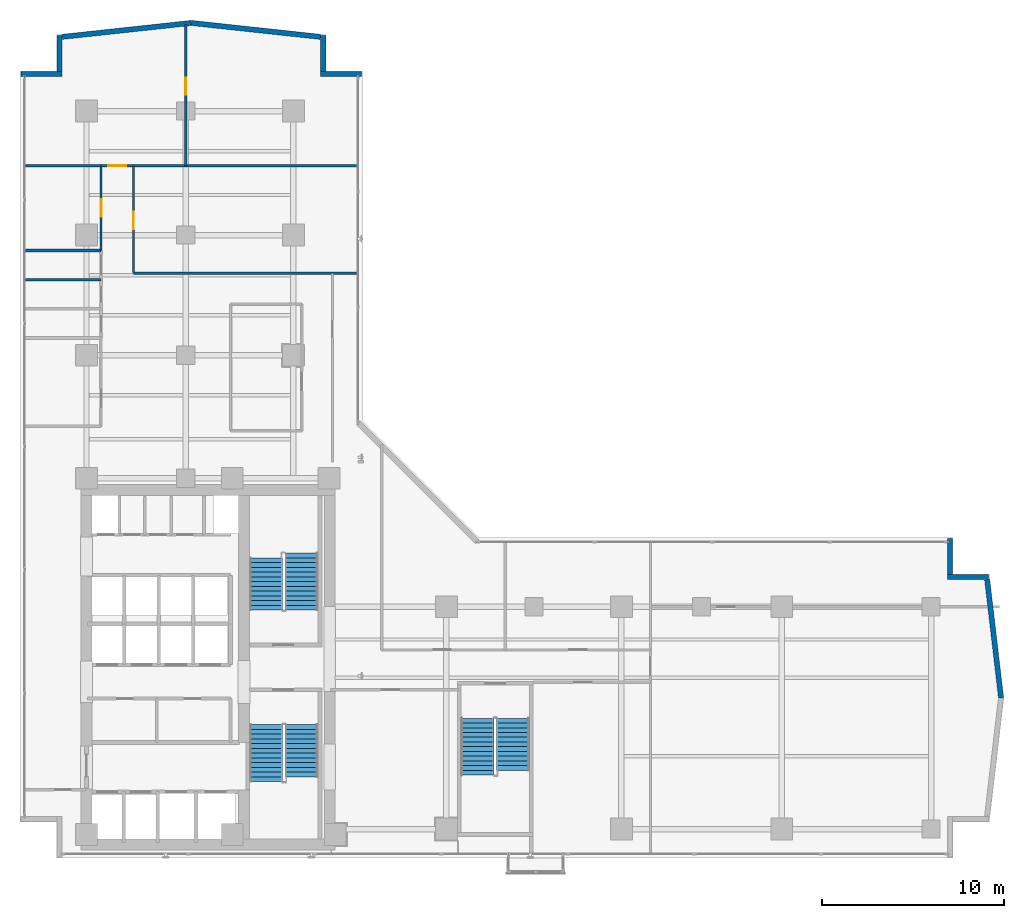
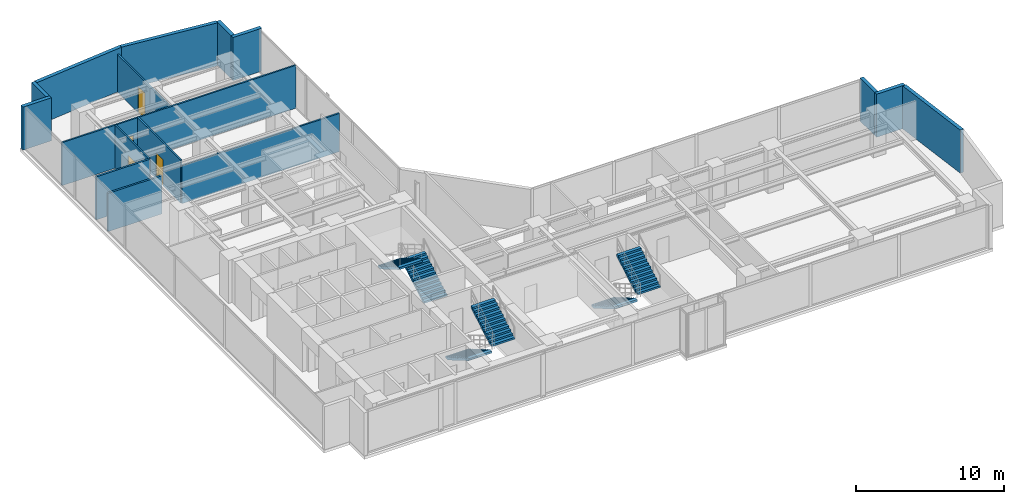
# One storey, part 21 of 24: 16 walls, 6 stair flights, 4 doors, 4 openings, 3 elements without a shape of their own.
"""IFC4 building model written with IfcOpenShell, lengths in metres."""

from ifc_helpers import new_model, si_unit, direction, frame, frame_2d, origin, place, context, subcontext, project, spatial, polyline, rectangle, outline, extrude, material, layer, layer_set, type_object, element, fill, aggregate, save


model = new_model("IFC4")

# Units and contexts
model_context = context("Model", 3, precision=1e-05, world=origin(), true_north=direction((0.0, 1.0)))
body_context = subcontext(model_context, "Body", "Model", "MODEL_VIEW")
ifc_project = project(units=[si_unit("LENGTHUNIT", "METRE"), si_unit("AREAUNIT", "SQUARE_METRE"), si_unit("VOLUMEUNIT", "CUBIC_METRE"), si_unit("PLANEANGLEUNIT", "RADIAN"), si_unit("MASSUNIT", "GRAM", prefix="KILO")], contexts=[model_context])

# Site, building, storey
site_placement = place(None, origin())
site = spatial("IfcSite", under=ifc_project, at=site_placement, CompositionType="ELEMENT")
building_placement = place(site_placement, origin())
building = spatial("IfcBuilding", under=site, at=building_placement, Name="Kolvaren Waterfront Exchange", CompositionType="ELEMENT")
storey_placement = place(building_placement, frame((0.0, 0.0, 172.800048828125)))
storey = spatial("IfcBuildingStorey", under=building, at=storey_placement, Name="L44", CompositionType="ELEMENT", Elevation=172.800048828125)

# Walls
ifc_material_1 = material(Name="Precast concrete C40/50", Category="concrete")
ifc_layer_1 = layer(ifc_material_1, 0.280029296875, Name="Precast concrete C40/50")
ifc_layer_set_1 = layer_set([ifc_layer_1], Name="Precast concrete C40/50")
wall_type_1 = type_object("IfcWallType", Name="ARC-EXT-TERR-280", PredefinedType="SOLIDWALL", material=ifc_layer_set_1)
wall_1_placement = place(storey_placement, frame((54.840087890625, 19.1650390625, 0.0), z_axis=(0.0, 0.0, 1.0), x_axis=(0.0, 1.0, 0.0)))
element("IfcWall", 1, at=wall_1_placement, inside=storey, type_object=wall_type_1, Name="L44 notched corner spandrel pier ENE-A", PredefinedType="SOLIDWALL", context=body_context, shape_type="SweptSolid", body=[
    extrude(rectangle(XDim=1.974853515625, YDim=0.280029296875, at=frame_2d((0.9873046875, 0.0))), origin(), (0.0, 0.0, 1.0), 3.56005859375),
])
for number, where, z_axis, x_axis, name in (
    (2, (54.699951171875, 19.0400390625, 0.0), (0.0, 0.0, 1.0), (1.0, 0.0, 0.0), "L44 notched corner spandrel pier ENE-B"),
    (3, (20.300048828125, 46.639892578125, 0.0), (0.0, 0.0, 1.0), (1.0, 0.0, 0.0), "L44 notched corner spandrel pier NNE-A"),
):
    element("IfcWall", number, at=place(storey_placement, frame(where, z_axis=z_axis, x_axis=x_axis)), inside=storey, type_object=wall_type_1, Name=name, PredefinedType="SOLIDWALL", context=body_context, shape_type="SweptSolid", body=[
        extrude(rectangle(XDim=2.239990234375, YDim=0.280029296875, at=frame_2d((1.1201171875, 0.0))), origin(), (0.0, 0.0, 1.0), 3.56005859375),
    ])
wall_2_placement = place(storey_placement, frame((20.43994140625, 46.780029296875, 0.0), z_axis=(0.0, 0.0, 1.0), x_axis=(0.0, 1.0, 0.0)))
element("IfcWall", 4, at=wall_2_placement, inside=storey, type_object=wall_type_1, Name="L44 notched corner spandrel pier NNE-B", PredefinedType="SOLIDWALL", context=body_context, shape_type="SweptSolid", body=[
    extrude(rectangle(XDim=1.9599609375, YDim=0.280029296875, at=frame_2d((0.97998046875, 0.0))), origin(), (0.0, 0.0, 1.0), 3.56005859375),
])
wall_3_placement = place(storey_placement, frame((3.860107421875, 46.639892578125, 0.0), z_axis=(0.0, 0.0, 1.0), x_axis=(1.0, 0.0, 0.0)))
element("IfcWall", 5, at=wall_3_placement, inside=storey, type_object=wall_type_1, Name="L44 notched corner spandrel pier NW-A", PredefinedType="SOLIDWALL", context=body_context, shape_type="SweptSolid", body=[
    extrude(rectangle(XDim=2.239990234375, YDim=0.280029296875, at=frame_2d((1.1201171875, 0.0))), origin(), (0.0, 0.0, 1.0), 3.56005859375),
])
wall_4_placement = place(storey_placement, frame((5.9599609375, 46.780029296875, 0.0), z_axis=(0.0, 0.0, 1.0), x_axis=(0.0, 1.0, 0.0)))
element("IfcWall", 6, at=wall_4_placement, inside=storey, type_object=wall_type_1, Name="L44 notched corner spandrel pier NW-B", PredefinedType="SOLIDWALL", context=body_context, shape_type="SweptSolid", body=[
    extrude(rectangle(XDim=1.9599609375, YDim=0.280029296875, at=frame_2d((0.97998046875, 0.0))), origin(), (0.0, 0.0, 1.0), 3.56005859375),
])
wall_5_placement = place(storey_placement, frame((57.638916015625, 12.401123046875, 0.0), z_axis=(0.0, 0.0, 1.0), x_axis=(-0.11685426921, 0.993149072278, 0.0)))
element("IfcWall", 7, at=wall_5_placement, inside=storey, type_object=wall_type_1, Name="L44 east prow faceted facade wall 2", PredefinedType="SOLIDWALL", context=body_context, shape_type="SweptSolid", body=[
    extrude(rectangle(XDim=6.52685546875, YDim=0.280029296875, at=frame_2d((3.263427734375, 0.0))), origin(), (0.0, 0.0, 1.0), 3.56005859375),
])
for number, where, z_axis, x_axis, name in (
    (8, (20.284423828125, 48.673095703125, 0.0), (0.0, 0.0, 1.0), (-0.994206651606, 0.107485505548, 0.0), "L44 north prow faceted facade wall 1"),
    (9, (13.197265625, 49.438720703125, 0.0), (0.0, 0.0, 1.0), (-0.994206651606, -0.107485505548, 0.0), "L44 north prow faceted facade wall 2"),
):
    element("IfcWall", number, at=place(storey_placement, frame(where, z_axis=z_axis, x_axis=x_axis)), inside=storey, type_object=wall_type_1, Name=name, PredefinedType="SOLIDWALL", context=body_context, shape_type="SweptSolid", body=[
        extrude(rectangle(XDim=7.123046875, YDim=0.280029296875, at=frame_2d((3.5615234375, 0.0))), origin(), (0.0, 0.0, 1.0), 3.56005859375),
    ])
ifc_material_2 = material(Name="Acoustic gypsum steel stud", Category="steel")
ifc_layer_2 = layer(ifc_material_2, 0.125, Name="Acoustic gypsum steel stud")
ifc_layer_set_2 = layer_set([ifc_layer_2], Name="Acoustic gypsum steel stud")
wall_type_2 = type_object("IfcWallType", Name="ARC-PART-125", PredefinedType="PARTITIONING", material=ifc_layer_set_2)
wall_6_placement = place(storey_placement, frame((10.030029296875, 35.699951171875, 0.0), z_axis=(0.0, 0.0, 1.0), x_axis=(1.0, 0.0, 0.0)))
element("IfcWall", 10, at=wall_6_placement, inside=storey, type_object=wall_type_2, Name="L44 interior wall PW-L44-RFLANK-N", PredefinedType="PARTITIONING", context=body_context, shape_type="SweptSolid", body=[
    extrude(rectangle(XDim=12.330078125, YDim=0.125, at=frame_2d((6.1650390625, 0.0))), origin(), (0.0, 0.0, 1.0), 3.159912109375),
])

# Wall, opening, door
wall_7_placement = place(storey_placement, frame((8.25, 36.949951171875, 0.0), z_axis=(0.0, 0.0, 1.0), x_axis=(0.0, 1.0, 0.0)))
wall_7 = element("IfcWall", 11, at=wall_7_placement, inside=storey, type_object=wall_type_2, Name="L44 interior wall PW-L44-NW-CORR", PredefinedType="PARTITIONING", context=body_context, shape_type="SweptSolid", body=[
    extrude(rectangle(XDim=4.650146484375, YDim=0.125, at=frame_2d((2.3251953125, 0.0))), origin(), (0.0, 0.0, 1.0), 3.56005859375),
])
opening_1_placement = place(wall_7_placement, frame((1.85009765625, 0.0, 0.0)))
opening_1 = element("IfcOpeningElement", 12, at=opening_1_placement, cuts=wall_7, Name="Opening D02", PredefinedType="OPENING", context=body_context, shape_type="SweptSolid", body=[
    extrude(rectangle(XDim=0.949951171875, YDim=2.14990234375, at=frame_2d((0.47509765625, 1.074951171875))), frame((0.0, 0.072509765625, 0.0), z_axis=(0.0, -1.0, 0.0), x_axis=(1.0, 0.0, 0.0)), (0.0, 0.0, 1.0), 0.14501953125),
])
ifc_material_3 = material(Name="Oak veneer acoustic timber", Category="wood")
door_type_1 = type_object("IfcDoorType", Name="ARC-DR-950", OperationType="NOTDEFINED", PredefinedType="DOOR", material=ifc_material_3)
door_1_placement = place(opening_1_placement, origin())
door_1 = element("IfcDoor", 13, at=door_1_placement, inside=storey, type_object=door_type_1, Name="L44 door DR-L44-NW-D-1 (D02)", OperationType="SINGLE_SWING_RIGHT", OverallHeight=2.14990234375, OverallWidth=0.949951171875, PredefinedType="DOOR", context=body_context, shape_type="SweptSolid", body=[
    extrude(rectangle(XDim=0.949951171875, YDim=2.14990234375, at=frame_2d((0.47509765625, 1.074951171875))), frame((0.0, 0.02490234375, 0.0), z_axis=(0.0, -1.0, 0.0), x_axis=(1.0, 0.0, 0.0)), (0.0, 0.0, 1.0), 0.050048828125),
])
fill(opening_1, door_1)

wall_8_placement = place(storey_placement, frame((4.0400390625, 41.60009765625, 0.0), z_axis=(0.0, 0.0, 1.0), x_axis=(1.0, 0.0, 0.0)))
wall_8 = element("IfcWall", 14, at=wall_8_placement, inside=storey, type_object=wall_type_2, Name="L44 interior wall PW-L44-NTIP-S", PredefinedType="PARTITIONING", context=body_context, shape_type="SweptSolid", body=[
    extrude(rectangle(XDim=18.320068359375, YDim=0.125, at=frame_2d((9.16015625, 0.0))), origin(), (0.0, 0.0, 1.0), 3.56005859375),
])
opening_2_placement = place(wall_8_placement, frame((4.60009765625, 0.0, 0.0)))
opening_2 = element("IfcOpeningElement", 15, at=opening_2_placement, cuts=wall_8, Name="Opening D03", PredefinedType="OPENING", context=body_context, shape_type="SweptSolid", body=[
    extrude(rectangle(XDim=1.0, YDim=2.199951171875, at=frame_2d((0.5, 1.10009765625))), frame((0.0, 0.072509765625, 0.0), z_axis=(0.0, -1.0, 0.0), x_axis=(1.0, 0.0, 0.0)), (0.0, 0.0, 1.0), 0.14501953125),
])
ifc_material_4 = material(Name="Oak veneer accessible timber", Category="wood")
door_type_2 = type_object("IfcDoorType", Name="ARC-DR-1000", OperationType="NOTDEFINED", PredefinedType="DOOR", material=ifc_material_4)
door_2_placement = place(opening_2_placement, origin())
door_2 = element("IfcDoor", 16, at=door_2_placement, inside=storey, type_object=door_type_2, Name="L44 door DR-L44-NTIPW-D (D03)", OperationType="SINGLE_SWING_LEFT", OverallHeight=2.199951171875, OverallWidth=1.0, PredefinedType="DOOR", context=body_context, shape_type="SweptSolid", body=[
    extrude(rectangle(XDim=1.0, YDim=2.199951171875, at=frame_2d((0.5, 1.10009765625))), frame((0.0, 0.02490234375, 0.0), z_axis=(0.0, -1.0, 0.0), x_axis=(1.0, 0.0, 0.0)), (0.0, 0.0, 1.0), 0.050048828125),
])
fill(opening_2, door_2)

wall_9_placement = place(storey_placement, frame((12.89990234375, 41.60009765625, 0.0), z_axis=(0.0, 0.0, 1.0), x_axis=(0.0, 1.0, 0.0)))
wall_9 = element("IfcWall", 17, at=wall_9_placement, inside=storey, type_object=wall_type_2, Name="L44 interior wall PW-L44-NTIP-DIV", PredefinedType="PARTITIONING", context=body_context, shape_type="SweptSolid", body=[
    extrude(rectangle(XDim=7.760009765625, YDim=0.125, at=frame_2d((3.8798828125, 0.0))), origin(), (0.0, 0.0, 1.0), 3.10986328125),
])
opening_3_placement = place(wall_9_placement, frame((3.8935546875, 0.0, 0.0)))
opening_3 = element("IfcOpeningElement", 18, at=opening_3_placement, cuts=wall_9, Name="Opening D02", PredefinedType="OPENING", context=body_context, shape_type="SweptSolid", body=[
    extrude(rectangle(XDim=0.949951171875, YDim=2.14990234375, at=frame_2d((0.47509765625, 1.074951171875))), frame((0.0, 0.072509765625, 0.0), z_axis=(0.0, -1.0, 0.0), x_axis=(1.0, 0.0, 0.0)), (0.0, 0.0, 1.0), 0.14501953125),
])
door_3_placement = place(opening_3_placement, origin())
door_3 = element("IfcDoor", 19, at=door_3_placement, inside=storey, type_object=door_type_1, Name="L44 door DR-L44-NTIPE-D (D02)", OperationType="SINGLE_SWING_RIGHT", OverallHeight=2.14990234375, OverallWidth=0.949951171875, PredefinedType="DOOR", context=body_context, shape_type="SweptSolid", body=[
    extrude(rectangle(XDim=0.949951171875, YDim=2.14990234375, at=frame_2d((0.47509765625, 1.074951171875))), frame((0.0, 0.02490234375, 0.0), z_axis=(0.0, -1.0, 0.0), x_axis=(1.0, 0.0, 0.0)), (0.0, 0.0, 1.0), 0.050048828125),
])
fill(opening_3, door_3)

wall_10_placement = place(storey_placement, frame((10.030029296875, 35.75, 0.0), z_axis=(0.0, 0.0, 1.0), x_axis=(0.0, 1.0, 0.0)))
wall_10 = element("IfcWall", 20, at=wall_10_placement, inside=storey, type_object=wall_type_2, Name="L44 interior wall PW-L44-NE-CORR", PredefinedType="PARTITIONING", context=body_context, shape_type="SweptSolid", body=[
    extrude(rectangle(XDim=5.85009765625, YDim=0.125, at=frame_2d((2.925048828125, 0.0))), origin(), (0.0, 0.0, 1.0), 3.56005859375),
])
opening_4_placement = place(wall_10_placement, frame((2.37939453125, 0.0, 0.0)))
opening_4 = element("IfcOpeningElement", 21, at=opening_4_placement, cuts=wall_10, Name="Opening D02", PredefinedType="OPENING", context=body_context, shape_type="SweptSolid", body=[
    extrude(rectangle(XDim=0.949951171875, YDim=2.14990234375, at=frame_2d((0.47509765625, 1.074951171875))), frame((0.0, 0.072509765625, 0.0), z_axis=(0.0, -1.0, 0.0), x_axis=(1.0, 0.0, 0.0)), (0.0, 0.0, 1.0), 0.14501953125),
])
door_4_placement = place(opening_4_placement, origin())
door_4 = element("IfcDoor", 22, at=door_4_placement, inside=storey, type_object=door_type_1, Name="L44 door DR-L44-NE-D-1 (D02)", OperationType="SINGLE_SWING_LEFT", OverallHeight=2.14990234375, OverallWidth=0.949951171875, PredefinedType="DOOR", context=body_context, shape_type="SweptSolid", body=[
    extrude(rectangle(XDim=0.949951171875, YDim=2.14990234375, at=frame_2d((0.47509765625, 1.074951171875))), frame((0.0, 0.02490234375, 0.0), z_axis=(0.0, -1.0, 0.0), x_axis=(1.0, 0.0, 0.0)), (0.0, 0.0, 1.0), 0.050048828125),
])
fill(opening_4, door_4)

# Walls
ifc_material_5 = material(Name="Moisture-resistant gypsum stud")
ifc_layer_3 = layer(ifc_material_5, 0.14990234375, Name="Moisture-resistant gypsum stud")
ifc_layer_set_3 = layer_set([ifc_layer_3], Name="Moisture-resistant gypsum stud")
wall_type_3 = type_object("IfcWallType", Name="ARC-PLUMB-150", PredefinedType="PLUMBINGWALL", material=ifc_layer_set_3)
wall_11_placement = place(storey_placement, frame((4.0400390625, 35.35009765625, 0.0), z_axis=(0.0, 0.0, 1.0), x_axis=(1.0, 0.0, 0.0)))
element("IfcWall", 23, at=wall_11_placement, inside=storey, type_object=wall_type_3, Name="L44 interior wall PW-L44-WC-2", PredefinedType="PLUMBINGWALL", context=body_context, shape_type="SweptSolid", body=[
    extrude(rectangle(XDim=4.2099609375, YDim=0.14990234375, at=frame_2d((2.10498046875, 0.0))), origin(), (0.0, 0.0, 1.0), 3.159912109375),
])
wall_12_placement = place(storey_placement, frame((4.0400390625, 36.949951171875, 0.0), z_axis=(0.0, 0.0, 1.0), x_axis=(1.0, 0.0, 0.0)))
element("IfcWall", 24, at=wall_12_placement, inside=storey, type_object=wall_type_3, Name="L44 interior wall PW-L44-WC-3", PredefinedType="PLUMBINGWALL", context=body_context, shape_type="SweptSolid", body=[
    extrude(rectangle(XDim=4.2099609375, YDim=0.14990234375, at=frame_2d((2.10498046875, 0.0))), origin(), (0.0, 0.0, 1.0), 3.56005859375),
])

# Stair, stair flights
ifc_material_6 = material(Name="Concrete C40/50", Category="concrete")
stair_type = type_object("IfcStairType", Name="ARC-STAIR-3800", PredefinedType="HALF_TURN_STAIR", material=ifc_material_6)
stair_1_placement = place(storey_placement, origin())
stair_1 = element("IfcStair", 25, at=stair_1_placement, inside=storey, type_object=stair_type, Name="L44 Smoke-proof exit stair ST1", PredefinedType="HALF_TURN_STAIR")
stair_flight_type = type_object("IfcStairFlightType", Name="ARC-FLIGHT-3800", PredefinedType="STRAIGHT", material=ifc_material_6)
stair_flight_1_placement = place(storey_placement, frame((17.300048828125, 10.929931640625, 0.0), z_axis=(0.0, 0.0, 1.0), x_axis=(0.0, -1.0, 0.0)))
stair_flight_1 = element("IfcStairFlight", 26, at=stair_flight_1_placement, type_object=stair_flight_type, Name="ST1 flight 1", NumberOfRisers=13, NumberOfTreads=12, PredefinedType="STRAIGHT", RiserHeight=0.152, TreadLength=0.26, context=body_context, shape_type="SweptSolid", body=[
    extrude(outline(polyline([(0.0, 0.0), (0.0, 0.152099609375), (0.260009765625, 0.152099609375), (0.260009765625, 0.303955078125), (0.52001953125, 0.303955078125), (0.52001953125, 0.4560546875), (0.780029296875, 0.4560546875), (0.780029296875, 0.60791015625), (1.0400390625, 0.60791015625), (1.0400390625, 0.760009765625), (1.300048828125, 0.760009765625), (1.300048828125, 0.912109375), (1.56005859375, 0.912109375), (1.56005859375, 1.06396484375), (1.820068359375, 1.06396484375), (1.820068359375, 1.216064453125), (2.080078125, 1.216064453125), (2.080078125, 1.367919921875), (2.340087890625, 1.367919921875), (2.340087890625, 1.52001953125), (2.60009765625, 1.52001953125), (2.60009765625, 1.672119140625), (2.860107421875, 1.672119140625), (2.860107421875, 1.823974609375), (3.1201171875, 1.823974609375), (3.1201171875, 1.97607421875), (3.1201171875, 1.650390625), (0.297119140625, 0.0), (0.0, 0.0)])), frame((0.0, 0.89990234375, 0.0), z_axis=(0.0, -1.0, 0.0), x_axis=(1.0, 0.0, 0.0)), (0.0, 0.0, 1.0), 1.800048828125),
])
stair_flight_2_placement = place(storey_placement, frame((19.260009765625, 8.070068359375, 1.975830078125), z_axis=(0.0, 0.0, 1.0), x_axis=(0.0, 1.0, 0.0)))
stair_flight_2 = element("IfcStairFlight", 27, at=stair_flight_2_placement, type_object=stair_flight_type, Name="ST1 flight 2", NumberOfRisers=12, NumberOfTreads=11, PredefinedType="STRAIGHT", RiserHeight=0.152, TreadLength=0.26, context=body_context, shape_type="SweptSolid", body=[
    extrude(outline(polyline([(0.0, 0.0), (0.0, 0.152099609375), (0.260009765625, 0.152099609375), (0.260009765625, 0.303955078125), (0.52001953125, 0.303955078125), (0.52001953125, 0.4560546875), (0.780029296875, 0.4560546875), (0.780029296875, 0.60791015625), (1.0400390625, 0.60791015625), (1.0400390625, 0.760009765625), (1.300048828125, 0.760009765625), (1.300048828125, 0.912109375), (1.56005859375, 0.912109375), (1.56005859375, 1.06396484375), (1.820068359375, 1.06396484375), (1.820068359375, 1.216064453125), (2.080078125, 1.216064453125), (2.080078125, 1.367919921875), (2.340087890625, 1.367919921875), (2.340087890625, 1.52001953125), (2.60009765625, 1.52001953125), (2.60009765625, 1.672119140625), (2.860107421875, 1.672119140625), (2.860107421875, 1.823974609375), (2.860107421875, 1.498291015625), (0.297119140625, 0.0), (0.0, 0.0)])), frame((0.0, 0.89990234375, 0.0), z_axis=(0.0, -1.0, 0.0), x_axis=(1.0, 0.0, 0.0)), (0.0, 0.0, 1.0), 1.800048828125),
])
aggregate(stair_1, [stair_flight_1, stair_flight_2])

stair_2_placement = place(storey_placement, origin())
stair_2 = element("IfcStair", 28, at=stair_2_placement, inside=storey, type_object=stair_type, Name="L44 Smoke-proof exit stair ST2", PredefinedType="HALF_TURN_STAIR")
stair_flight_3_placement = place(storey_placement, frame((19.260009765625, 17.219970703125, 0.0), z_axis=(0.0, 0.0, 1.0), x_axis=(0.0, 1.0, 0.0)))
stair_flight_3 = element("IfcStairFlight", 29, at=stair_flight_3_placement, type_object=stair_flight_type, Name="ST2 flight 1", NumberOfRisers=13, NumberOfTreads=12, PredefinedType="STRAIGHT", RiserHeight=0.152, TreadLength=0.26, context=body_context, shape_type="SweptSolid", body=[
    extrude(outline(polyline([(0.0, 0.0), (0.0, 0.152099609375), (0.260009765625, 0.152099609375), (0.260009765625, 0.303955078125), (0.52001953125, 0.303955078125), (0.52001953125, 0.4560546875), (0.780029296875, 0.4560546875), (0.780029296875, 0.60791015625), (1.0400390625, 0.60791015625), (1.0400390625, 0.760009765625), (1.300048828125, 0.760009765625), (1.300048828125, 0.912109375), (1.56005859375, 0.912109375), (1.56005859375, 1.06396484375), (1.820068359375, 1.06396484375), (1.820068359375, 1.216064453125), (2.080078125, 1.216064453125), (2.080078125, 1.367919921875), (2.340087890625, 1.367919921875), (2.340087890625, 1.52001953125), (2.60009765625, 1.52001953125), (2.60009765625, 1.672119140625), (2.860107421875, 1.672119140625), (2.860107421875, 1.823974609375), (3.1201171875, 1.823974609375), (3.1201171875, 1.97607421875), (3.1201171875, 1.650390625), (0.297119140625, 0.0), (0.0, 0.0)])), frame((0.0, 0.89990234375, 0.0), z_axis=(0.0, -1.0, 0.0), x_axis=(1.0, 0.0, 0.0)), (0.0, 0.0, 1.0), 1.800048828125),
])
stair_flight_4_placement = place(storey_placement, frame((17.300048828125, 20.080078125, 1.975830078125), z_axis=(0.0, 0.0, 1.0), x_axis=(0.0, -1.0, 0.0)))
stair_flight_4 = element("IfcStairFlight", 30, at=stair_flight_4_placement, type_object=stair_flight_type, Name="ST2 flight 2", NumberOfRisers=12, NumberOfTreads=11, PredefinedType="STRAIGHT", RiserHeight=0.152, TreadLength=0.26, context=body_context, shape_type="SweptSolid", body=[
    extrude(outline(polyline([(0.0, 0.0), (0.0, 0.152099609375), (0.260009765625, 0.152099609375), (0.260009765625, 0.303955078125), (0.52001953125, 0.303955078125), (0.52001953125, 0.4560546875), (0.780029296875, 0.4560546875), (0.780029296875, 0.60791015625), (1.0400390625, 0.60791015625), (1.0400390625, 0.760009765625), (1.300048828125, 0.760009765625), (1.300048828125, 0.912109375), (1.56005859375, 0.912109375), (1.56005859375, 1.06396484375), (1.820068359375, 1.06396484375), (1.820068359375, 1.216064453125), (2.080078125, 1.216064453125), (2.080078125, 1.367919921875), (2.340087890625, 1.367919921875), (2.340087890625, 1.52001953125), (2.60009765625, 1.52001953125), (2.60009765625, 1.672119140625), (2.860107421875, 1.672119140625), (2.860107421875, 1.823974609375), (2.860107421875, 1.498291015625), (0.297119140625, 0.0), (0.0, 0.0)])), frame((0.0, 0.89990234375, 0.0), z_axis=(0.0, -1.0, 0.0), x_axis=(1.0, 0.0, 0.0)), (0.0, 0.0, 1.0), 1.800048828125),
])
aggregate(stair_2, [stair_flight_3, stair_flight_4])

stair_3_placement = place(storey_placement, origin())
stair_3 = element("IfcStair", 31, at=stair_3_placement, inside=storey, type_object=stair_type, Name="L44 Exit stair ST3", PredefinedType="HALF_TURN_STAIR")
stair_flight_5_placement = place(storey_placement, frame((28.89990234375, 11.280029296875, 0.0), z_axis=(0.0, 0.0, 1.0), x_axis=(0.0, -1.0, 0.0)))
stair_flight_5 = element("IfcStairFlight", 32, at=stair_flight_5_placement, type_object=stair_flight_type, Name="ST3 flight 1", NumberOfRisers=13, NumberOfTreads=12, PredefinedType="STRAIGHT", RiserHeight=0.152, TreadLength=0.26, context=body_context, shape_type="SweptSolid", body=[
    extrude(outline(polyline([(0.0, 0.0), (0.0, 0.152099609375), (0.260009765625, 0.152099609375), (0.260009765625, 0.303955078125), (0.52001953125, 0.303955078125), (0.52001953125, 0.4560546875), (0.780029296875, 0.4560546875), (0.780029296875, 0.60791015625), (1.0400390625, 0.60791015625), (1.0400390625, 0.760009765625), (1.300048828125, 0.760009765625), (1.300048828125, 0.912109375), (1.56005859375, 0.912109375), (1.56005859375, 1.06396484375), (1.820068359375, 1.06396484375), (1.820068359375, 1.216064453125), (2.080078125, 1.216064453125), (2.080078125, 1.367919921875), (2.340087890625, 1.367919921875), (2.340087890625, 1.52001953125), (2.60009765625, 1.52001953125), (2.60009765625, 1.672119140625), (2.860107421875, 1.672119140625), (2.860107421875, 1.823974609375), (3.1201171875, 1.823974609375), (3.1201171875, 1.97607421875), (3.1201171875, 1.650390625), (0.297119140625, 0.0), (0.0, 0.0)])), frame((0.0, 0.89990234375, 0.0), z_axis=(0.0, -1.0, 0.0), x_axis=(1.0, 0.0, 0.0)), (0.0, 0.0, 1.0), 1.800048828125),
])
stair_flight_6_placement = place(storey_placement, frame((30.860107421875, 8.419921875, 1.975830078125), z_axis=(0.0, 0.0, 1.0), x_axis=(0.0, 1.0, 0.0)))
stair_flight_6 = element("IfcStairFlight", 33, at=stair_flight_6_placement, type_object=stair_flight_type, Name="ST3 flight 2", NumberOfRisers=12, NumberOfTreads=11, PredefinedType="STRAIGHT", RiserHeight=0.152, TreadLength=0.26, context=body_context, shape_type="SweptSolid", body=[
    extrude(outline(polyline([(0.0, 0.0), (0.0, 0.152099609375), (0.260009765625, 0.152099609375), (0.260009765625, 0.303955078125), (0.52001953125, 0.303955078125), (0.52001953125, 0.4560546875), (0.780029296875, 0.4560546875), (0.780029296875, 0.60791015625), (1.0400390625, 0.60791015625), (1.0400390625, 0.760009765625), (1.300048828125, 0.760009765625), (1.300048828125, 0.912109375), (1.56005859375, 0.912109375), (1.56005859375, 1.06396484375), (1.820068359375, 1.06396484375), (1.820068359375, 1.216064453125), (2.080078125, 1.216064453125), (2.080078125, 1.367919921875), (2.340087890625, 1.367919921875), (2.340087890625, 1.52001953125), (2.60009765625, 1.52001953125), (2.60009765625, 1.672119140625), (2.860107421875, 1.672119140625), (2.860107421875, 1.823974609375), (2.860107421875, 1.498291015625), (0.297119140625, 0.0), (0.0, 0.0)])), frame((0.0, 0.89990234375, 0.0), z_axis=(0.0, -1.0, 0.0), x_axis=(1.0, 0.0, 0.0)), (0.0, 0.0, 1.0), 1.800048828125),
])
aggregate(stair_3, [stair_flight_5, stair_flight_6])

save(model, "model.ifc")
